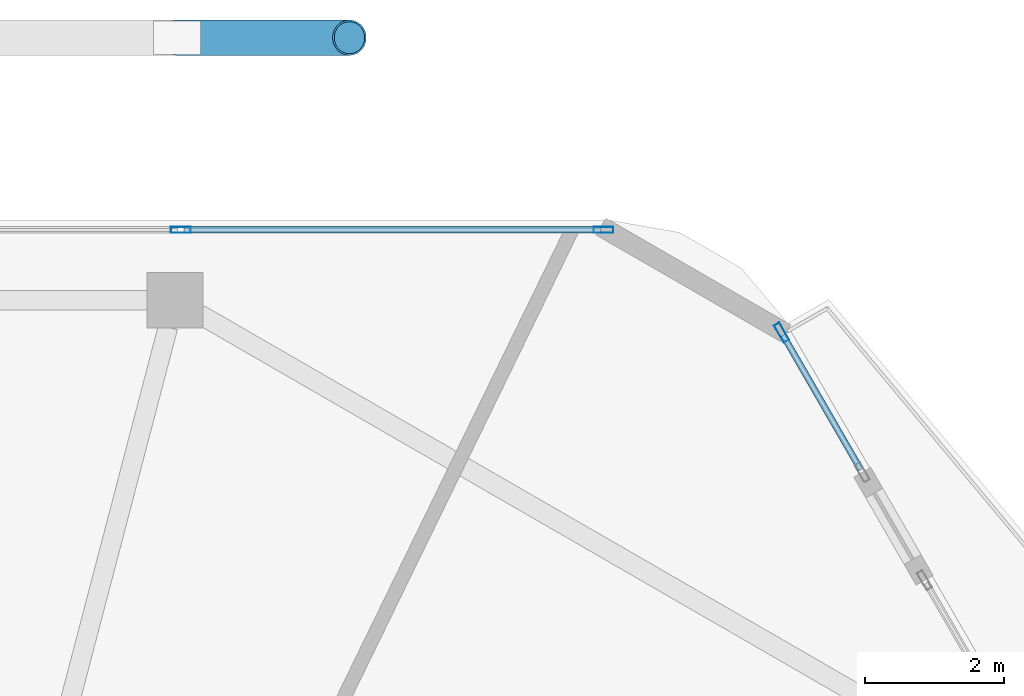
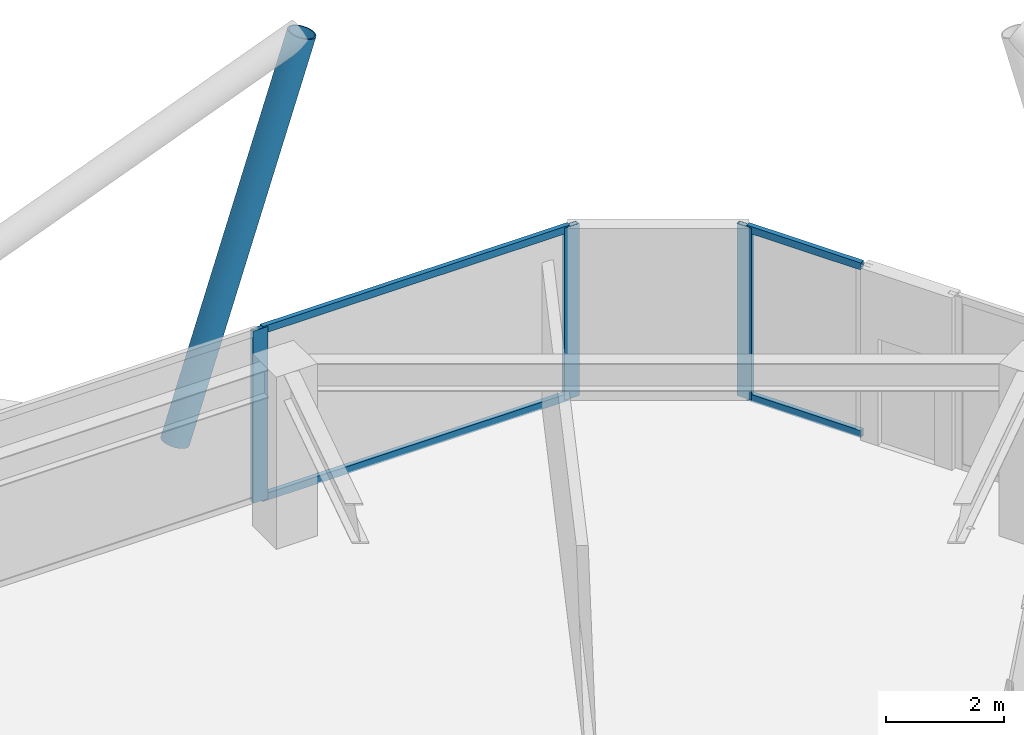
# One storey, part 15 of 24: 8 members, 2 elements without a shape of their own.
"""IFC4 building model written with IfcOpenShell, lengths in metres."""

from ifc_helpers import new_model, si_unit, direction, frame, origin, origin_2d, place, context, subcontext, project, spatial, hollow_rectangle, hollow_circle, extrude, material, material_profile, profile_set, type_object, element, aggregate, save


model = new_model("IFC4")

# Units and contexts
model_context = context("Model", 3, precision=1e-05, world=origin(), true_north=direction((0.0, 1.0)))
body_context = subcontext(model_context, "Body", "Model", "MODEL_VIEW")
ifc_project = project(units=[si_unit("LENGTHUNIT", "METRE"), si_unit("AREAUNIT", "SQUARE_METRE"), si_unit("VOLUMEUNIT", "CUBIC_METRE"), si_unit("PLANEANGLEUNIT", "RADIAN"), si_unit("MASSUNIT", "GRAM", prefix="KILO")], contexts=[model_context])

# Site, building, storey
site_placement = place(None, origin())
site = spatial("IfcSite", under=ifc_project, at=site_placement, CompositionType="ELEMENT")
building_placement = place(site_placement, origin())
building = spatial("IfcBuilding", under=site, at=building_placement, Name="Zuhravey Tower", CompositionType="ELEMENT")
storey_placement = place(building_placement, frame((0.0, 0.0, 308.199951171875)))
storey = spatial("IfcBuildingStorey", under=building, at=storey_placement, Name="L78", CompositionType="ELEMENT", Elevation=308.199951171875)

# Curtain wall, members
ifc_material_1 = material(Name="Thermally broken anodised aluminium", Category="aluminium")
curtain_wall_type = type_object("IfcCurtainWallType", Name="Zone 3-4 High-Rise Curtain Wall CW4", PredefinedType="NOTDEFINED", material=ifc_material_1)
curtain_wall_1_placement = place(storey_placement, origin())
curtain_wall_1 = element("IfcCurtainWall", 1, at=curtain_wall_1_placement, inside=storey, type_object=curtain_wall_type, Name="L78 CW4 CW-L78-F2-1", PredefinedType="NOTDEFINED")
ifc_material_2 = material(Name="Anodised aluminium", Category="aluminium")
ifc_material_profile_1 = material_profile(ifc_material_2, hollow_rectangle(XDim=0.090087890625, YDim=0.284912109375, WallThickness=0.0048828125, at=origin_2d()), Name="ALU-RHS-90x285x5")
ifc_profile_set_1 = profile_set([ifc_material_profile_1], Name="Anodised aluminium")
member_type_1 = type_object("IfcMemberType", Name="Curtain-Wall Mullion 90x180", PredefinedType="MULLION", material=ifc_profile_set_1)
member_1_placement = place(storey_placement, frame((42.11962890625, 56.07421875, 0.0), z_axis=(0.0, 0.0, 1.0), x_axis=(0.0, 1.0, 0.0)))
member_1 = element("IfcMember", 2, at=member_1_placement, type_object=member_type_1, Name="CW4 mullion 4", PredefinedType="MULLION", context=body_context, shape_type="SweptSolid", body=[
    extrude(hollow_rectangle(XDim=0.090087890625, YDim=0.284912109375, WallThickness=0.0048828125, at=origin_2d()), origin(), (0.0, 0.0, 1.0), 3.550048828125),
])
member_2_placement = place(storey_placement, frame((48.1943359375, 56.07421875, 0.0), z_axis=(0.0, 0.0, 1.0), x_axis=(0.0, 1.0, 0.0)))
member_2 = element("IfcMember", 3, at=member_2_placement, type_object=member_type_1, Name="CW4 mullion 5", PredefinedType="MULLION", context=body_context, shape_type="SweptSolid", body=[
    extrude(hollow_rectangle(XDim=0.090087890625, YDim=0.284912109375, WallThickness=0.0048828125, at=origin_2d()), origin(), (0.0, 0.0, 1.0), 3.550048828125),
])

# Curtain wall, member
curtain_wall_2_placement = place(storey_placement, origin())
curtain_wall_2 = element("IfcCurtainWall", 4, at=curtain_wall_2_placement, inside=storey, type_object=curtain_wall_type, Name="L78 CW4 CW-L78-F1-1", PredefinedType="NOTDEFINED")
member_3_placement = place(storey_placement, frame((50.751708984375, 54.59765625, 0.0), z_axis=(0.0, 0.0, 1.0), x_axis=(0.866033385702, 0.499986174659, 0.0)))
member_3 = element("IfcMember", 5, at=member_3_placement, type_object=member_type_1, Name="CW4 mullion 1", PredefinedType="MULLION", context=body_context, shape_type="SweptSolid", body=[
    extrude(hollow_rectangle(XDim=0.090087890625, YDim=0.284912109375, WallThickness=0.0048828125, at=origin_2d()), origin(), (0.0, 0.0, 1.0), 3.550048828125),
])

# Member
ifc_material_profile_2 = material_profile(ifc_material_2, hollow_rectangle(XDim=0.090087890625, YDim=0.14990234375, WallThickness=0.0048828125, at=origin_2d()), Name="ALU-RHS-90x150x5")
ifc_profile_set_2 = profile_set([ifc_material_profile_2], Name="Anodised aluminium")
member_type_2 = type_object("IfcMemberType", Name="Curtain-Wall Transom 90x150", PredefinedType="USERDEFINED", material=ifc_profile_set_2)
member_4_placement = place(storey_placement, frame((42.16455078125, 56.07421875, 0.045166015625), z_axis=(1.0, 0.0, 0.0), x_axis=(0.0, 1.0, 0.0)))
member_4 = element("IfcMember", 6, at=member_4_placement, type_object=member_type_2, Name="CW4 transom 4.1", ObjectType="TRANSOM", PredefinedType="USERDEFINED", context=body_context, shape_type="SweptSolid", body=[
    extrude(hollow_rectangle(XDim=0.090087890625, YDim=0.14990234375, WallThickness=0.0048828125, at=origin_2d()), origin(), (0.0, 0.0, 1.0), 5.98486328125),
])

member_5_placement = place(storey_placement, frame((42.16455078125, 56.07421875, 3.505126953125), z_axis=(1.0, 0.0, 0.0), x_axis=(0.0, 1.0, 0.0)))
member_5 = element("IfcMember", 7, at=member_5_placement, type_object=member_type_2, Name="CW4 transom 4.2", ObjectType="TRANSOM", PredefinedType="USERDEFINED", context=body_context, shape_type="SweptSolid", body=[
    extrude(hollow_rectangle(XDim=0.090087890625, YDim=0.14990234375, WallThickness=0.0048828125, at=origin_2d()), origin(), (0.0, 0.0, 1.0), 5.98486328125),
])

aggregate(curtain_wall_1, [member_1, member_2, member_4, member_5])

member_6_placement = place(storey_placement, frame((50.774169921875, 54.55859375, 0.045166015625), z_axis=(0.499994480982, -0.866028590168, 0.0), x_axis=(0.866028590168, 0.499994480982, 0.0)))
member_6 = element("IfcMember", 8, at=member_6_placement, type_object=member_type_2, Name="CW4 transom 1.1", ObjectType="TRANSOM", PredefinedType="USERDEFINED", context=body_context, shape_type="SweptSolid", body=[
    extrude(hollow_rectangle(XDim=0.090087890625, YDim=0.14990234375, WallThickness=0.0048828125, at=origin_2d()), origin(), (0.0, 0.0, 1.0), 2.22705078125),
])

member_7_placement = place(storey_placement, frame((50.774169921875, 54.55859375, 3.505126953125), z_axis=(0.499994480982, -0.866028590168, 0.0), x_axis=(0.866028590168, 0.499994480982, 0.0)))
member_7 = element("IfcMember", 9, at=member_7_placement, type_object=member_type_2, Name="CW4 transom 1.2", ObjectType="TRANSOM", PredefinedType="USERDEFINED", context=body_context, shape_type="SweptSolid", body=[
    extrude(hollow_rectangle(XDim=0.090087890625, YDim=0.14990234375, WallThickness=0.0048828125, at=origin_2d()), origin(), (0.0, 0.0, 1.0), 2.22705078125),
])

aggregate(curtain_wall_2, [member_3, member_6, member_7])

ifc_material_3 = material(Name="Steel SM355", Category="steel")
ifc_material_profile_3 = material_profile(ifc_material_3, hollow_circle(Radius=0.25390625, WallThickness=0.02490234375, at=origin_2d()), Name="CHS-508.0x25")
ifc_profile_set_3 = profile_set([ifc_material_profile_3], Name="Steel SM355")
member_type_3 = type_object("IfcMemberType", Name="Exoskeleton Zone 4 Diagrid CHS508x25", PredefinedType="BRACE", material=ifc_profile_set_3)
member_8_placement = place(storey_placement, frame((42.072509765625, 58.833984375, -0.447998046875), z_axis=(0.310453809256, 0.0, 0.950588466329), x_axis=(0.0, 1.0, 0.0)))
element("IfcMember", 10, at=member_8_placement, inside=storey, type_object=member_type_3, Name="L78 Face 2 Diagrid Brace 1", PredefinedType="BRACE", context=body_context, shape_type="SweptSolid", body=[
    extrude(hollow_circle(Radius=0.25390625, WallThickness=0.02490234375, at=origin_2d()), origin(), (0.0, 0.0, 1.0), 7.96142578125),
])

save(model, "model.ifc")
